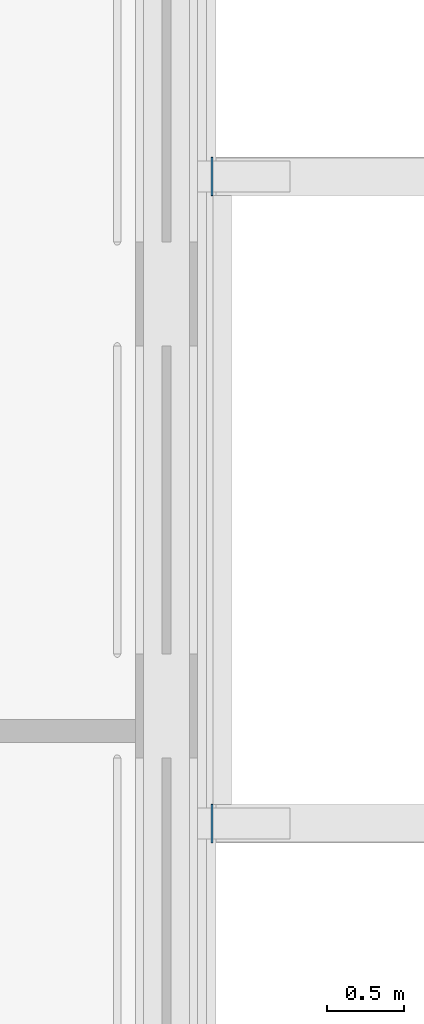
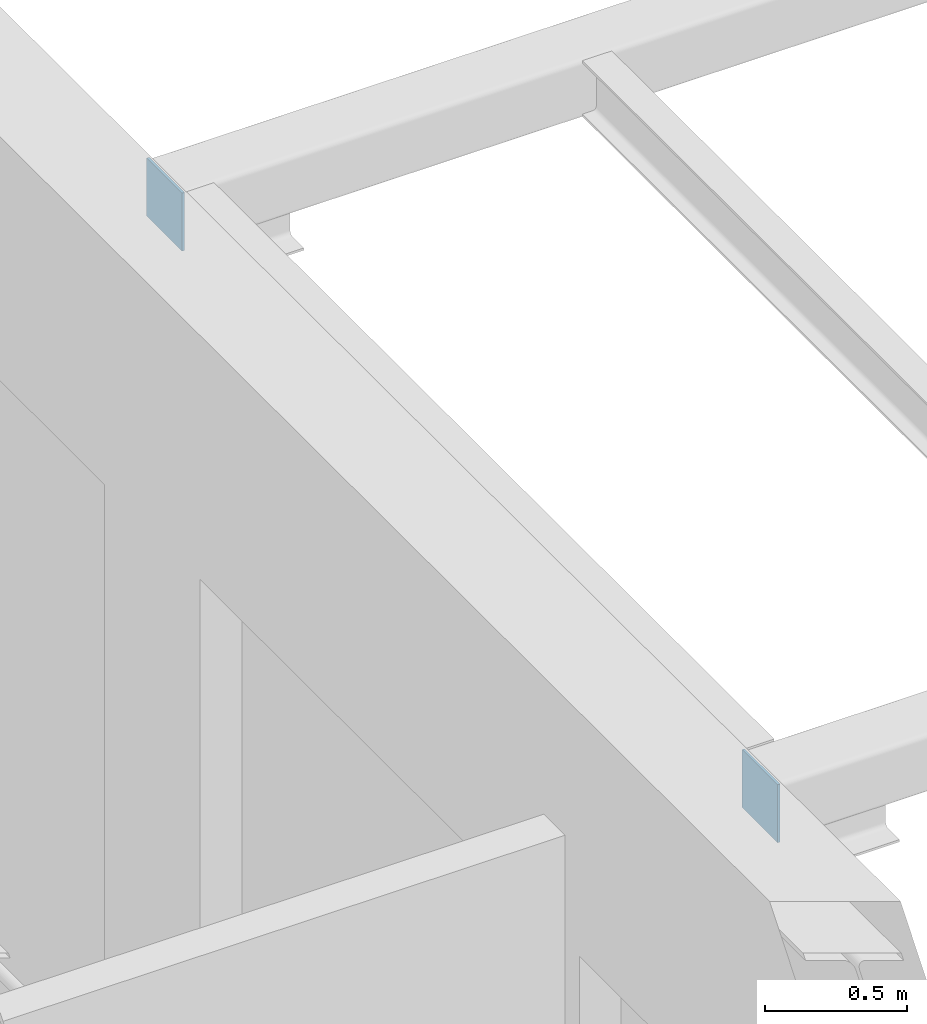
# One storey, part 117 of 153: 2 discrete accessories.
"""IFC4 building model written with IfcOpenShell, lengths in metres."""

from ifc_helpers import new_model, si_unit, direction, frame, origin, origin_2d, place, context, subcontext, project, spatial, rectangle, extrude, material, material_profile, profile_set, type_object, element, save


model = new_model("IFC4")

# Units and contexts
model_context = context("Model", 3, precision=1e-05, world=origin(), true_north=direction((0.0, 1.0)))
body_context = subcontext(model_context, "Body", "Model", "MODEL_VIEW")
ifc_project = project(units=[si_unit("LENGTHUNIT", "METRE"), si_unit("AREAUNIT", "SQUARE_METRE"), si_unit("VOLUMEUNIT", "CUBIC_METRE"), si_unit("PLANEANGLEUNIT", "RADIAN"), si_unit("MASSUNIT", "GRAM", prefix="KILO")], contexts=[model_context])

# Site, building, storey
site_placement = place(None, origin())
site = spatial("IfcSite", under=ifc_project, at=site_placement, CompositionType="ELEMENT")
building_placement = place(site_placement, origin())
building = spatial("IfcBuilding", under=site, at=building_placement, Name="Kallimachos Central Library", CompositionType="ELEMENT")
storey_placement = place(building_placement, frame((0.0, 0.0, 5.39990234375)))
storey = spatial("IfcBuildingStorey", under=building, at=storey_placement, Name="L01", CompositionType="ELEMENT", Elevation=5.39990234375)

# Discrete accessories
ifc_material = material(Name="Steel S355J2", Category="steel")
ifc_material_profile = material_profile(ifc_material, rectangle(XDim=0.25, YDim=0.25, at=origin_2d()), Name="End cap plate 10, 250x250")
ifc_profile_set = profile_set([ifc_material_profile], Name="Steel S355J2")
discrete_accessory_type = type_object("IfcDiscreteAccessoryType", Name="End cap plate 10, 250x250", PredefinedType="BRACKET", material=ifc_profile_set)
for number, where, z_axis, x_axis, name in (
    (1, (38.2900390625, 98.39990234375, 4.22509765625), (1.0, 0.0, 0.0), (0.0, 1.0, 0.0), "End cap plate"),
    (2, (38.2900390625, 102.60009765625, 4.22509765625), (1.0, 0.0, 0.0), (0.0, 1.0, 0.0), "End cap plate"),
):
    element("IfcDiscreteAccessory", number, at=place(storey_placement, frame(where, z_axis=z_axis, x_axis=x_axis)), inside=storey, type_object=discrete_accessory_type, Name=name, PredefinedType="BRACKET", context=body_context, shape_type="SweptSolid", body=[
        extrude(rectangle(XDim=0.25, YDim=0.25, at=origin_2d()), origin(), (0.0, 0.0, 1.0), 0.010009765625),
    ])

save(model, "model.ifc")
